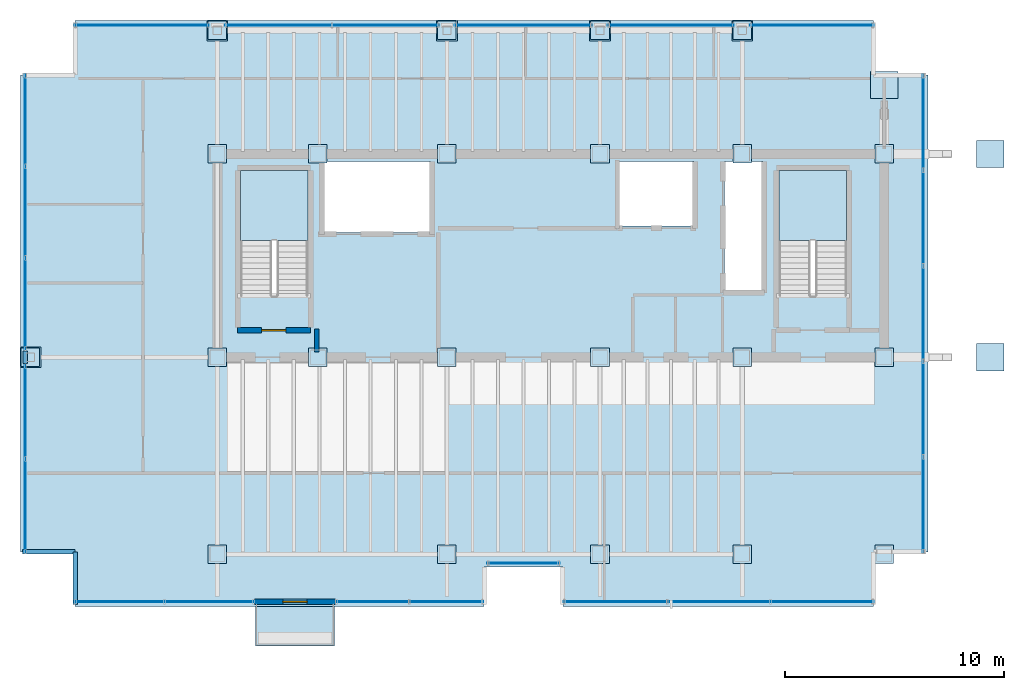
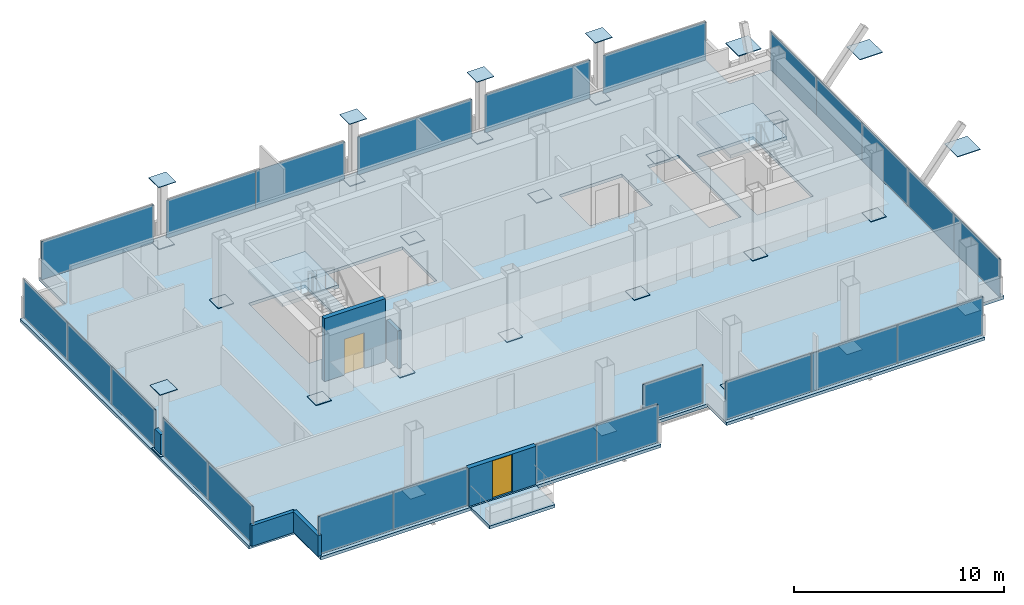
# One storey, part 13 of 16: 54 plates, 6 walls, 4 slabs, 2 doors, 7 openings, 14 elements without a shape of their own.
"""IFC4 building model written with IfcOpenShell, lengths in metres."""

import ifcopenshell
import ifcopenshell.guid

model = None  # the IFC model being written
_history = None  # IfcOwnerHistory: only IFC2X3 demands one
_inside = {}  # id of a spatial element -> (the spatial element, [elements in it])
_under = {}  # id of a project, library or spatial element -> (it, [spatial elements below it])
_declared = {}  # id of a project -> (the project, [libraries it declares])
_typed = {}  # id of a type object -> (the type object, [elements of that type])
_made_of = {}  # id of a material, layer set ... -> (it, [elements and type objects made of it])


def new_model(schema):
    """Start an empty IFC model of exactly this schema.

    Asked for "IFC4X3", IfcOpenShell would pick the latest addendum, in which some entities
    have other attributes; the version numbers below select the first issue.
    IFC2X3 requires an IfcOwnerHistory on every rooted entity: one is made here for all.
    """
    global model, _history
    if schema == "IFC4X3":
        model = ifcopenshell.file(schema_version=(4, 3, 0, 0))
    else:
        model = ifcopenshell.file(schema=schema)
    _inside.clear()
    _under.clear()
    _declared.clear()
    _typed.clear()
    _made_of.clear()
    _history = None
    if model.schema == "IFC2X3":
        org = make("IfcOrganization", Name="unknown")
        user = make(
            "IfcPersonAndOrganization",
            ThePerson=make("IfcPerson", FamilyName="unknown"),
            TheOrganization=org,
        )
        app = make(
            "IfcApplication",
            ApplicationDeveloper=org,
            Version="unknown",
            ApplicationFullName="unknown",
            ApplicationIdentifier="unknown",
        )
        _history = make(
            "IfcOwnerHistory",
            OwningUser=user,
            OwningApplication=app,
            ChangeAction="ADDED",
            CreationDate=0,
        )
    return model


def make(cls, **values):
    """One entity of the class cls with the attributes given. An attribute that is None is left unset."""
    return model.create_entity(
        cls, **{name: value for name, value in values.items() if value is not None}
    )


def rooted(cls, **values):
    """An entity with a GlobalId (a new one), such as an element, a storey or a relation."""
    return make(cls, GlobalId=ifcopenshell.guid.new(), OwnerHistory=_history, **values)


def si_unit(unit_type, name, prefix=None):
    """IfcSIUnit, for example si_unit("LENGTHUNIT", "METRE", prefix="MILLI")."""
    return make("IfcSIUnit", UnitType=unit_type, Prefix=prefix, Name=name)


def assignment(units):
    """IfcUnitAssignment: the units of a project."""
    return None if units is None else make("IfcUnitAssignment", Units=units)


def point(xyz):
    """IfcCartesianPoint."""
    return None if xyz is None else make("IfcCartesianPoint", Coordinates=xyz)


def direction(xyz):
    """IfcDirection."""
    return None if xyz is None else make("IfcDirection", DirectionRatios=xyz)


def frame(location, z_axis=None, x_axis=None):
    """IfcAxis2Placement3D, a coordinate frame: its origin and axes. An axis left out is left unset."""
    return make(
        "IfcAxis2Placement3D",
        Location=point(location),
        Axis=direction(z_axis),
        RefDirection=direction(x_axis),
    )


def frame_2d(location, x_axis=None):
    """IfcAxis2Placement2D, a coordinate frame in the plane: its origin and x axis."""
    return make(
        "IfcAxis2Placement2D", Location=point(location), RefDirection=direction(x_axis)
    )


def origin():
    """The frame at (0, 0, 0) with its axes left unset."""
    return frame((0.0, 0.0, 0.0))


def origin_2d():
    """The frame at (0, 0) in the plane with its x axis left unset."""
    return frame_2d((0.0, 0.0))


def place(relative_to, where):
    """IfcLocalPlacement: puts the frame where relative to a parent placement (None: the world)."""
    return make(
        "IfcLocalPlacement", PlacementRelTo=relative_to, RelativePlacement=where
    )


def context(
    kind, dimensions, precision=None, world=None, true_north=None, identifier=None
):
    """IfcGeometricRepresentationContext, for example the 3D "Model" context."""
    return make(
        "IfcGeometricRepresentationContext",
        ContextIdentifier=identifier,
        ContextType=kind,
        CoordinateSpaceDimension=dimensions,
        Precision=precision,
        WorldCoordinateSystem=world,
        TrueNorth=true_north,
    )


def subcontext(parent, identifier, kind, view, scale=None):
    """IfcGeometricRepresentationSubContext, for example "Body" below "Model"."""
    return make(
        "IfcGeometricRepresentationSubContext",
        ContextIdentifier=identifier,
        ContextType=kind,
        ParentContext=parent,
        TargetScale=scale,
        TargetView=view,
    )


def project(units=None, contexts=None):
    """IfcProject with its units and contexts."""
    return rooted(
        "IfcProject",
        Name="project",
        RepresentationContexts=contexts,
        UnitsInContext=assignment(units),
    )


def spatial(cls, under=None, at=None, **own):
    """A site, building, storey or space (cls), placed at a placement, below another one or the project."""
    s = rooted(cls, ObjectPlacement=at, **own)
    if under is not None:
        _under.setdefault(under.id(), (under, []))[1].append(s)
    return s


def polyline(points):
    """IfcPolyline through the points."""
    return make("IfcPolyline", Points=[point(p) for p in points])


def profile(cls, at=None, kind="AREA", **sizes):
    """A parametric profile (cls). Its sizes go by their IFC names, for example OverallWidth=200.0."""
    return make(cls, ProfileType=kind, Position=at, **sizes)


def rectangle(**sizes):
    """IfcRectangleProfileDef."""
    return profile("IfcRectangleProfileDef", **sizes)


def outline(outer, holes=None, kind="AREA"):
    """IfcArbitraryClosedProfileDef: a profile drawn as a closed curve; with holes, ...WithVoids."""
    if holes is None:
        return make("IfcArbitraryClosedProfileDef", ProfileType=kind, OuterCurve=outer)
    return make(
        "IfcArbitraryProfileDefWithVoids",
        ProfileType=kind,
        OuterCurve=outer,
        InnerCurves=holes,
    )


def extrude(swept, where, along, depth):
    """IfcExtrudedAreaSolid: the profile swept, set in the frame where, extruded along a direction by depth."""
    return make(
        "IfcExtrudedAreaSolid",
        SweptArea=swept,
        Position=where,
        ExtrudedDirection=direction(along),
        Depth=depth,
    )


def shape(context_of_items, identifier, shape_type, items):
    """IfcShapeRepresentation: the items that make up one representation, for example the "Body"."""
    return make(
        "IfcShapeRepresentation",
        ContextOfItems=context_of_items,
        RepresentationIdentifier=identifier,
        RepresentationType=shape_type,
        Items=items,
    )


def material(Name=None, Category=None):
    """IfcMaterial."""
    return make("IfcMaterial", Name=Name, Category=Category)


def layer(
    of_material, thickness, ventilated=None, Name=None, Category=None, Priority=None
):
    """IfcMaterialLayer: one layer of a wall or slab, of a material (None: an air gap)."""
    return make(
        "IfcMaterialLayer",
        Material=of_material,
        LayerThickness=thickness,
        IsVentilated=ventilated,
        Name=Name,
        Category=Category,
        Priority=Priority,
    )


def layer_set(layers, Name=None):
    """IfcMaterialLayerSet."""
    return make("IfcMaterialLayerSet", MaterialLayers=layers, LayerSetName=Name)


def made_of(thing, what):
    """Note that an element or type object is made of a material, layer set ...; save() writes the relation."""
    if what is not None:
        _made_of.setdefault(what.id(), (what, []))[1].append(thing)
    return thing


def type_object(cls, material=None, **own):
    """A type object (cls), such as IfcWallType, which elements share."""
    return made_of(rooted(cls, **own), material)


def element(
    cls,
    number,
    at=None,
    inside=None,
    cuts=None,
    type_object=None,
    material=None,
    context=None,
    identifier="Body",
    shape_type=None,
    held_by="IfcProductDefinitionShape",
    body=None,
    shapes=None,
    **own,
):
    """One element of the class cls, such as IfcWall. Its Tag is "e" and its number.

    at: its placement. inside: the storey or other place that contains it. cuts: it is an
    opening in that element (IfcRelVoidsElement). A single representation is given by context,
    identifier, shape_type and body (its items); several are given by shapes. held_by: the class
    of the entity that holds the representations. save() writes the other relations.
    """
    e = rooted(cls, Tag="e%d" % number, ObjectPlacement=at, **own)
    if body is not None:
        shapes = [shape(context, identifier, shape_type, body)]
    if shapes is not None:
        e.Representation = make(held_by, Representations=shapes)
    if inside is not None:
        _inside.setdefault(inside.id(), (inside, []))[1].append(e)
    if cuts is not None:
        rooted(
            "IfcRelVoidsElement", RelatingBuildingElement=cuts, RelatedOpeningElement=e
        )
    if type_object is not None:
        _typed.setdefault(type_object.id(), (type_object, []))[1].append(e)
    return made_of(e, material)


def fill(opening, filler):
    """IfcRelFillsElement: the door or window that sits in an opening."""
    return rooted(
        "IfcRelFillsElement",
        RelatingOpeningElement=opening,
        RelatedBuildingElement=filler,
    )


def aggregate(whole, parts):
    """IfcRelAggregates: a whole, such as a stair, and the parts it consists of."""
    return rooted("IfcRelAggregates", RelatingObject=whole, RelatedObjects=parts)


def save(model, path):
    """Write the relations noted so far, then the file.

    IfcRelAggregates (storeys below a building ...), IfcRelContainedInSpatialStructure (elements
    in a storey), IfcRelDefinesByType, IfcRelAssociatesMaterial and IfcRelDeclares: one each for
    every whole, place, type object, material and project.
    """
    for whole, parts in _under.values():
        aggregate(whole, parts)
    for where, things in _inside.values():
        rooted(
            "IfcRelContainedInSpatialStructure",
            RelatedElements=things,
            RelatingStructure=where,
        )
    for kind, things in _typed.values():
        rooted("IfcRelDefinesByType", RelatedObjects=things, RelatingType=kind)
    for what, things in _made_of.values():
        rooted("IfcRelAssociatesMaterial", RelatedObjects=things, RelatingMaterial=what)
    for by, libraries in _declared.values():
        rooted("IfcRelDeclares", RelatingContext=by, RelatedDefinitions=libraries)
    model.write(path)


model = new_model("IFC4")

# Units and contexts
model_context = context("Model", 3, precision=1e-05, world=origin(), true_north=direction((0.0, 1.0)))
body_context = subcontext(model_context, "Body", "Model", "MODEL_VIEW")
ifc_project = project(units=[si_unit("LENGTHUNIT", "METRE"), si_unit("AREAUNIT", "SQUARE_METRE"), si_unit("VOLUMEUNIT", "CUBIC_METRE"), si_unit("PLANEANGLEUNIT", "RADIAN"), si_unit("MASSUNIT", "GRAM", prefix="KILO")], contexts=[model_context])

# Site, building, storey
site_placement = place(None, origin())
site = spatial("IfcSite", under=ifc_project, at=site_placement, CompositionType="ELEMENT")
building_placement = place(site_placement, origin())
building = spatial("IfcBuilding", under=site, at=building_placement, Name="Noeulbin Bourse Tower", CompositionType="ELEMENT")
storey_placement = place(building_placement, frame((0.0, 0.0, 277.39990234375)))
storey = spatial("IfcBuildingStorey", under=building, at=storey_placement, Name="L69", CompositionType="ELEMENT", Elevation=277.39990234375)

# Curtain wall, plate
ifc_material_1 = material(Name="High-Selectivity Low-Iron Glazing", Category="glass")
curtain_wall_type = type_object("IfcCurtainWallType", Name="CW-SYS-4", PredefinedType="NOTDEFINED", material=ifc_material_1)
curtain_wall_1_placement = place(storey_placement, origin())
curtain_wall_1 = element("IfcCurtainWall", 1, at=curtain_wall_1_placement, inside=storey, type_object=curtain_wall_type, Name="Unitised Curtain Wall CW-L69-SREC", PredefinedType="NOTDEFINED")
ifc_layer_1 = layer(ifc_material_1, 0.035888671875)
ifc_layer_set_1 = layer_set([ifc_layer_1], Name="High-Selectivity Low-Iron Glazing")
plate_type_1 = type_object("IfcPlateType", Name="CW-SYS-4-PNL", PredefinedType="CURTAIN_PANEL", material=ifc_layer_set_1)
plate_1_placement = place(storey_placement, frame((27.5, 19.580078125, 0.0), z_axis=(0.0, 0.0, 1.0), x_axis=(1.0, 0.0, 0.0)))
plate_1 = element("IfcPlate", 2, at=plate_1_placement, type_object=plate_type_1, Name="Glazed Curtain Panel CW-L69-SREC-P00", PredefinedType="CURTAIN_PANEL", context=body_context, shape_type="SweptSolid", body=[
    extrude(rectangle(XDim=3.300048828125, YDim=0.035888671875, at=origin_2d()), origin(), (0.0, 0.0, 1.0), 2.219970703125),
])
aggregate(curtain_wall_1, [plate_1])

# Curtain wall, plates
curtain_wall_2_placement = place(storey_placement, origin())
curtain_wall_2 = element("IfcCurtainWall", 3, at=curtain_wall_2_placement, inside=storey, type_object=curtain_wall_type, Name="Unitised Curtain Wall CW-L69-S1", PredefinedType="NOTDEFINED")
plate_2_placement = place(storey_placement, frame((9.034912109375, 17.820068359375, 0.0), z_axis=(0.0, 0.0, 1.0), x_axis=(1.0, 0.0, 0.0)))
plate_2 = element("IfcPlate", 4, at=plate_2_placement, type_object=plate_type_1, Name="Glazed Curtain Panel CW-L69-S1-P00", PredefinedType="CURTAIN_PANEL", context=body_context, shape_type="SweptSolid", body=[
    extrude(rectangle(XDim=4.110107421875, YDim=0.035888671875, at=origin_2d()), origin(), (0.0, 0.0, 1.0), 2.219970703125),
])
plate_3_placement = place(storey_placement, frame((13.14501953125, 17.820068359375, 0.0), z_axis=(0.0, 0.0, 1.0), x_axis=(1.0, 0.0, 0.0)))
plate_3 = element("IfcPlate", 5, at=plate_3_placement, type_object=plate_type_1, Name="Glazed Curtain Panel CW-L69-S1-P01", PredefinedType="CURTAIN_PANEL", context=body_context, shape_type="SweptSolid", body=[
    extrude(rectangle(XDim=4.110107421875, YDim=0.035888671875, at=origin_2d()), origin(), (0.0, 0.0, 1.0), 2.219970703125),
])
aggregate(curtain_wall_2, [plate_2, plate_3])

curtain_wall_3_placement = place(storey_placement, origin())
curtain_wall_3 = element("IfcCurtainWall", 6, at=curtain_wall_3_placement, inside=storey, type_object=curtain_wall_type, Name="Unitised Curtain Wall CW-L69-S2", PredefinedType="NOTDEFINED")
plate_4_placement = place(storey_placement, frame((20.58740234375, 17.820068359375, 0.0), z_axis=(0.0, 0.0, 1.0), x_axis=(1.0, 0.0, 0.0)))
plate_4 = element("IfcPlate", 7, at=plate_4_placement, type_object=plate_type_1, Name="Glazed Curtain Panel CW-L69-S2-P00", PredefinedType="CURTAIN_PANEL", context=body_context, shape_type="SweptSolid", body=[
    extrude(rectangle(XDim=3.375, YDim=0.035888671875, at=origin_2d()), origin(), (0.0, 0.0, 1.0), 2.219970703125),
])
plate_5_placement = place(storey_placement, frame((23.96240234375, 17.820068359375, 0.0), z_axis=(0.0, 0.0, 1.0), x_axis=(1.0, 0.0, 0.0)))
plate_5 = element("IfcPlate", 8, at=plate_5_placement, type_object=plate_type_1, Name="Glazed Curtain Panel CW-L69-S2-P01", PredefinedType="CURTAIN_PANEL", context=body_context, shape_type="SweptSolid", body=[
    extrude(rectangle(XDim=3.375, YDim=0.035888671875, at=origin_2d()), origin(), (0.0, 0.0, 1.0), 2.219970703125),
])
aggregate(curtain_wall_3, [plate_4, plate_5])

curtain_wall_4_placement = place(storey_placement, origin())
curtain_wall_4 = element("IfcCurtainWall", 9, at=curtain_wall_4_placement, inside=storey, type_object=curtain_wall_type, Name="Unitised Curtain Wall CW-L69-S3", PredefinedType="NOTDEFINED")
plate_6_placement = place(storey_placement, frame((31.711669921875, 17.820068359375, 0.0), z_axis=(0.0, 0.0, 1.0), x_axis=(1.0, 0.0, 0.0)))
plate_6 = element("IfcPlate", 10, at=plate_6_placement, type_object=plate_type_1, Name="Glazed Curtain Panel CW-L69-S3-P00", PredefinedType="CURTAIN_PANEL", context=body_context, shape_type="SweptSolid", body=[
    extrude(rectangle(XDim=4.723388671875, YDim=0.035888671875, at=origin_2d()), origin(), (0.0, 0.0, 1.0), 2.219970703125),
])
plate_7_placement = place(storey_placement, frame((36.43505859375, 17.820068359375, 0.0), z_axis=(0.0, 0.0, 1.0), x_axis=(1.0, 0.0, 0.0)))
plate_7 = element("IfcPlate", 11, at=plate_7_placement, type_object=plate_type_1, Name="Glazed Curtain Panel CW-L69-S3-P01", PredefinedType="CURTAIN_PANEL", context=body_context, shape_type="SweptSolid", body=[
    extrude(rectangle(XDim=4.723388671875, YDim=0.035888671875, at=origin_2d()), origin(), (0.0, 0.0, 1.0), 2.219970703125),
])
plate_8_placement = place(storey_placement, frame((41.158203125, 17.820068359375, 0.0), z_axis=(0.0, 0.0, 1.0), x_axis=(1.0, 0.0, 0.0)))
plate_8 = element("IfcPlate", 12, at=plate_8_placement, type_object=plate_type_1, Name="Glazed Curtain Panel CW-L69-S3-P02", PredefinedType="CURTAIN_PANEL", context=body_context, shape_type="SweptSolid", body=[
    extrude(rectangle(XDim=4.723388671875, YDim=0.035888671875, at=origin_2d()), origin(), (0.0, 0.0, 1.0), 2.219970703125),
])
aggregate(curtain_wall_4, [plate_6, plate_7, plate_8])

# Curtain wall, plate
curtain_wall_5_placement = place(storey_placement, origin())
curtain_wall_5 = element("IfcCurtainWall", 13, at=curtain_wall_5_placement, inside=storey, type_object=curtain_wall_type, Name="Unitised Curtain Wall CW-L69-N-S1", PredefinedType="NOTDEFINED")
plate_9_placement = place(storey_placement, frame((10.06005859375, 44.179931640625, 0.0), z_axis=(0.0, 0.0, 1.0), x_axis=(1.0, 0.0, 0.0)))
plate_9 = element("IfcPlate", 14, at=plate_9_placement, type_object=plate_type_1, Name="Glazed Curtain Panel CW-L69-N-S1-P00", PredefinedType="CURTAIN_PANEL", context=body_context, shape_type="SweptSolid", body=[
    extrude(rectangle(XDim=6.159912109375, YDim=0.035888671875, at=origin_2d()), origin(), (0.0, 0.0, 1.0), 2.219970703125),
])
aggregate(curtain_wall_5, [plate_9])

# Curtain wall, plates
curtain_wall_6_placement = place(storey_placement, origin())
curtain_wall_6 = element("IfcCurtainWall", 15, at=curtain_wall_6_placement, inside=storey, type_object=curtain_wall_type, Name="Unitised Curtain Wall CW-L69-N-S2", PredefinedType="NOTDEFINED")
plate_10_placement = place(storey_placement, frame((16.304931640625, 44.179931640625, 0.0), z_axis=(0.0, 0.0, 1.0), x_axis=(1.0, 0.0, 0.0)))
plate_10 = element("IfcPlate", 16, at=plate_10_placement, type_object=plate_type_1, Name="Glazed Curtain Panel CW-L69-N-S2-P00", PredefinedType="CURTAIN_PANEL", context=body_context, shape_type="SweptSolid", body=[
    extrude(rectangle(XDim=4.889892578125, YDim=0.035888671875, at=origin_2d()), origin(), (0.0, 0.0, 1.0), 2.219970703125),
])
plate_11_placement = place(storey_placement, frame((21.195068359375, 44.179931640625, 0.0), z_axis=(0.0, 0.0, 1.0), x_axis=(1.0, 0.0, 0.0)))
plate_11 = element("IfcPlate", 17, at=plate_11_placement, type_object=plate_type_1, Name="Glazed Curtain Panel CW-L69-N-S2-P01", PredefinedType="CURTAIN_PANEL", context=body_context, shape_type="SweptSolid", body=[
    extrude(rectangle(XDim=4.889892578125, YDim=0.035888671875, at=origin_2d()), origin(), (0.0, 0.0, 1.0), 2.219970703125),
])
aggregate(curtain_wall_6, [plate_10, plate_11])

# Curtain wall, plate
curtain_wall_7_placement = place(storey_placement, origin())
curtain_wall_7 = element("IfcCurtainWall", 18, at=curtain_wall_7_placement, inside=storey, type_object=curtain_wall_type, Name="Unitised Curtain Wall CW-L69-N-S3", PredefinedType="NOTDEFINED")
plate_12_placement = place(storey_placement, frame((27.5, 44.179931640625, 0.0), z_axis=(0.0, 0.0, 1.0), x_axis=(1.0, 0.0, 0.0)))
plate_12 = element("IfcPlate", 19, at=plate_12_placement, type_object=plate_type_1, Name="Glazed Curtain Panel CW-L69-N-S3-P00", PredefinedType="CURTAIN_PANEL", context=body_context, shape_type="SweptSolid", body=[
    extrude(rectangle(XDim=6.280029296875, YDim=0.035888671875, at=origin_2d()), origin(), (0.0, 0.0, 1.0), 2.219970703125),
])
aggregate(curtain_wall_7, [plate_12])

curtain_wall_8_placement = place(storey_placement, origin())
curtain_wall_8 = element("IfcCurtainWall", 20, at=curtain_wall_8_placement, inside=storey, type_object=curtain_wall_type, Name="Unitised Curtain Wall CW-L69-N-S4", PredefinedType="NOTDEFINED")
plate_13_placement = place(storey_placement, frame((34.25, 44.179931640625, 0.0), z_axis=(0.0, 0.0, 1.0), x_axis=(1.0, 0.0, 0.0)))
plate_13 = element("IfcPlate", 21, at=plate_13_placement, type_object=plate_type_1, Name="Glazed Curtain Panel CW-L69-N-S4-P00", PredefinedType="CURTAIN_PANEL", context=body_context, shape_type="SweptSolid", body=[
    extrude(rectangle(XDim=5.780029296875, YDim=0.035888671875, at=origin_2d()), origin(), (0.0, 0.0, 1.0), 2.219970703125),
])
aggregate(curtain_wall_8, [plate_13])

curtain_wall_9_placement = place(storey_placement, origin())
curtain_wall_9 = element("IfcCurtainWall", 22, at=curtain_wall_9_placement, inside=storey, type_object=curtain_wall_type, Name="Unitised Curtain Wall CW-L69-N-S5", PredefinedType="NOTDEFINED")
plate_14_placement = place(storey_placement, frame((40.68994140625, 44.179931640625, 0.0), z_axis=(0.0, 0.0, 1.0), x_axis=(1.0, 0.0, 0.0)))
plate_14 = element("IfcPlate", 23, at=plate_14_placement, type_object=plate_type_1, Name="Glazed Curtain Panel CW-L69-N-S5-P00", PredefinedType="CURTAIN_PANEL", context=body_context, shape_type="SweptSolid", body=[
    extrude(rectangle(XDim=5.659912109375, YDim=0.035888671875, at=origin_2d()), origin(), (0.0, 0.0, 1.0), 2.219970703125),
])
aggregate(curtain_wall_9, [plate_14])

# Curtain wall, plates
curtain_wall_10_placement = place(storey_placement, origin())
curtain_wall_10 = element("IfcCurtainWall", 24, at=curtain_wall_10_placement, inside=storey, type_object=curtain_wall_type, Name="Unitised Curtain Wall CW-L69-W-S1", PredefinedType="NOTDEFINED")
plate_15_placement = place(storey_placement, frame((4.719970703125, 22.219970703125, 0.0), z_axis=(0.0, 0.0, 1.0), x_axis=(0.0, 1.0, 0.0)))
plate_15 = element("IfcPlate", 25, at=plate_15_placement, type_object=plate_type_1, Name="Glazed Curtain Panel CW-L69-W-S1-P00", PredefinedType="CURTAIN_PANEL", context=body_context, shape_type="SweptSolid", body=[
    extrude(rectangle(XDim=4.280029296875, YDim=0.035888671875, at=origin_2d()), origin(), (0.0, 0.0, 1.0), 2.219970703125),
])
plate_16_placement = place(storey_placement, frame((4.719970703125, 26.5, 0.0), z_axis=(0.0, 0.0, 1.0), x_axis=(0.0, 1.0, 0.0)))
plate_16 = element("IfcPlate", 26, at=plate_16_placement, type_object=plate_type_1, Name="Glazed Curtain Panel CW-L69-W-S1-P01", PredefinedType="CURTAIN_PANEL", context=body_context, shape_type="SweptSolid", body=[
    extrude(rectangle(XDim=4.280029296875, YDim=0.035888671875, at=origin_2d()), origin(), (0.0, 0.0, 1.0), 2.219970703125),
])
aggregate(curtain_wall_10, [plate_15, plate_16])

curtain_wall_11_placement = place(storey_placement, origin())
curtain_wall_11 = element("IfcCurtainWall", 27, at=curtain_wall_11_placement, inside=storey, type_object=curtain_wall_type, Name="Unitised Curtain Wall CW-L69-W-S2", PredefinedType="NOTDEFINED")
plate_17_placement = place(storey_placement, frame((4.719970703125, 31.453369140625, 0.0), z_axis=(0.0, 0.0, 1.0), x_axis=(0.0, 1.0, 0.0)))
plate_17 = element("IfcPlate", 28, at=plate_17_placement, type_object=plate_type_1, Name="Glazed Curtain Panel CW-L69-W-S2-P00", PredefinedType="CURTAIN_PANEL", context=body_context, shape_type="SweptSolid", body=[
    extrude(rectangle(XDim=4.186767578125, YDim=0.035888671875, at=origin_2d()), origin(), (0.0, 0.0, 1.0), 2.219970703125),
])
plate_18_placement = place(storey_placement, frame((4.719970703125, 35.639892578125, 0.0), z_axis=(0.0, 0.0, 1.0), x_axis=(0.0, 1.0, 0.0)))
plate_18 = element("IfcPlate", 29, at=plate_18_placement, type_object=plate_type_1, Name="Glazed Curtain Panel CW-L69-W-S2-P01", PredefinedType="CURTAIN_PANEL", context=body_context, shape_type="SweptSolid", body=[
    extrude(rectangle(XDim=4.186767578125, YDim=0.035888671875, at=origin_2d()), origin(), (0.0, 0.0, 1.0), 2.219970703125),
])
plate_19_placement = place(storey_placement, frame((4.719970703125, 39.82666015625, 0.0), z_axis=(0.0, 0.0, 1.0), x_axis=(0.0, 1.0, 0.0)))
plate_19 = element("IfcPlate", 30, at=plate_19_placement, type_object=plate_type_1, Name="Glazed Curtain Panel CW-L69-W-S2-P02", PredefinedType="CURTAIN_PANEL", context=body_context, shape_type="SweptSolid", body=[
    extrude(rectangle(XDim=4.186767578125, YDim=0.035888671875, at=origin_2d()), origin(), (0.0, 0.0, 1.0), 2.219970703125),
])
aggregate(curtain_wall_11, [plate_17, plate_18, plate_19])

curtain_wall_12_placement = place(storey_placement, origin())
curtain_wall_12 = element("IfcCurtainWall", 31, at=curtain_wall_12_placement, inside=storey, type_object=curtain_wall_type, Name="Unitised Curtain Wall CW-L69-E", PredefinedType="NOTDEFINED")
plate_20_placement = place(storey_placement, frame((45.780029296875, 22.263916015625, 0.0), z_axis=(0.0, 0.0, 1.0), x_axis=(0.0, 1.0, 0.0)))
plate_20 = element("IfcPlate", 32, at=plate_20_placement, type_object=plate_type_1, Name="Glazed Curtain Panel CW-L69-E-P00", PredefinedType="CURTAIN_PANEL", context=body_context, shape_type="SweptSolid", body=[
    extrude(rectangle(XDim=4.367919921875, YDim=0.035888671875, at=origin_2d()), origin(), (0.0, 0.0, 1.0), 2.219970703125),
])
plate_21_placement = place(storey_placement, frame((45.780029296875, 26.632080078125, 0.0), z_axis=(0.0, 0.0, 1.0), x_axis=(0.0, 1.0, 0.0)))
plate_21 = element("IfcPlate", 33, at=plate_21_placement, type_object=plate_type_1, Name="Glazed Curtain Panel CW-L69-E-P01", PredefinedType="CURTAIN_PANEL", context=body_context, shape_type="SweptSolid", body=[
    extrude(rectangle(XDim=4.367919921875, YDim=0.035888671875, at=origin_2d()), origin(), (0.0, 0.0, 1.0), 2.219970703125),
])
plate_22_placement = place(storey_placement, frame((45.780029296875, 31.0, 0.0), z_axis=(0.0, 0.0, 1.0), x_axis=(0.0, 1.0, 0.0)))
plate_22 = element("IfcPlate", 34, at=plate_22_placement, type_object=plate_type_1, Name="Glazed Curtain Panel CW-L69-E-P02", PredefinedType="CURTAIN_PANEL", context=body_context, shape_type="SweptSolid", body=[
    extrude(rectangle(XDim=4.367919921875, YDim=0.035888671875, at=origin_2d()), origin(), (0.0, 0.0, 1.0), 2.219970703125),
])
plate_23_placement = place(storey_placement, frame((45.780029296875, 35.367919921875, 0.0), z_axis=(0.0, 0.0, 1.0), x_axis=(0.0, 1.0, 0.0)))
plate_23 = element("IfcPlate", 35, at=plate_23_placement, type_object=plate_type_1, Name="Glazed Curtain Panel CW-L69-E-P03", PredefinedType="CURTAIN_PANEL", context=body_context, shape_type="SweptSolid", body=[
    extrude(rectangle(XDim=4.367919921875, YDim=0.035888671875, at=origin_2d()), origin(), (0.0, 0.0, 1.0), 2.219970703125),
])
plate_24_placement = place(storey_placement, frame((45.780029296875, 39.736083984375, 0.0), z_axis=(0.0, 0.0, 1.0), x_axis=(0.0, 1.0, 0.0)))
plate_24 = element("IfcPlate", 36, at=plate_24_placement, type_object=plate_type_1, Name="Glazed Curtain Panel CW-L69-E-P04", PredefinedType="CURTAIN_PANEL", context=body_context, shape_type="SweptSolid", body=[
    extrude(rectangle(XDim=4.367919921875, YDim=0.035888671875, at=origin_2d()), origin(), (0.0, 0.0, 1.0), 2.219970703125),
])
aggregate(curtain_wall_12, [plate_20, plate_21, plate_22, plate_23, plate_24])

# Plates
ifc_material_2 = material(Name="Steel S355", Category="steel")
ifc_layer_2 = layer(ifc_material_2, 0.030029296875)
ifc_layer_set_2 = layer_set([ifc_layer_2], Name="Steel S355")
plate_type_2 = type_object("IfcPlateType", Name="PLT-BN1", PredefinedType="USERDEFINED", material=ifc_layer_set_2)
for number, where, z_axis, x_axis, name in (
    (37, (13.5, 29.0, 0.0048828125), (0.0, 0.0, 1.0), (1.0, 0.0, 0.0), "Mega-Column Splice Plate BN1-L69-01"),
    (38, (13.5, 38.300048828125, 0.0048828125), (0.0, 0.0, 1.0), (1.0, 0.0, 0.0), "Mega-Column Splice Plate BN1-L69-02"),
    (39, (18.10009765625, 29.0, 0.0048828125), (0.0, 0.0, 1.0), (1.0, 0.0, 0.0), "Mega-Column Splice Plate BN1-L69-03"),
    (40, (18.10009765625, 38.300048828125, 0.0048828125), (0.0, 0.0, 1.0), (1.0, 0.0, 0.0), "Mega-Column Splice Plate BN1-L69-04"),
    (41, (24.0, 29.0, 0.0048828125), (0.0, 0.0, 1.0), (1.0, 0.0, 0.0), "Mega-Column Splice Plate BN1-L69-05"),
    (42, (24.0, 38.300048828125, 0.0048828125), (0.0, 0.0, 1.0), (1.0, 0.0, 0.0), "Mega-Column Splice Plate BN1-L69-06"),
    (43, (31.0, 29.0, 0.0048828125), (0.0, 0.0, 1.0), (1.0, 0.0, 0.0), "Mega-Column Splice Plate BN1-L69-07"),
    (44, (31.0, 38.300048828125, 0.0048828125), (0.0, 0.0, 1.0), (1.0, 0.0, 0.0), "Mega-Column Splice Plate BN1-L69-08"),
    (45, (37.5, 29.0, 0.0048828125), (0.0, 0.0, 1.0), (1.0, 0.0, 0.0), "Mega-Column Splice Plate BN1-L69-09"),
    (46, (37.5, 38.300048828125, 0.0048828125), (0.0, 0.0, 1.0), (1.0, 0.0, 0.0), "Mega-Column Splice Plate BN1-L69-10"),
    (47, (44.0, 29.0, 0.0048828125), (0.0, 0.0, 1.0), (1.0, 0.0, 0.0), "Mega-Column Splice Plate BN1-L69-11"),
    (48, (44.0, 38.300048828125, 0.0048828125), (0.0, 0.0, 1.0), (1.0, 0.0, 0.0), "Mega-Column Splice Plate BN1-L69-12"),
    (49, (13.5, 20.0, 0.0048828125), (0.0, 0.0, 1.0), (1.0, 0.0, 0.0), "Mega-Column Splice Plate BN1-L69-13"),
    (50, (24.0, 20.0, 0.0048828125), (0.0, 0.0, 1.0), (1.0, 0.0, 0.0), "Mega-Column Splice Plate BN1-L69-14"),
    (51, (31.0, 20.0, 0.0048828125), (0.0, 0.0, 1.0), (1.0, 0.0, 0.0), "Mega-Column Splice Plate BN1-L69-15"),
    (52, (37.5, 20.0, 0.0048828125), (0.0, 0.0, 1.0), (1.0, 0.0, 0.0), "Mega-Column Splice Plate BN1-L69-16"),
    (53, (44.0, 20.0, 0.0048828125), (0.0, 0.0, 1.0), (1.0, 0.0, 0.0), "Mega-Column Splice Plate BN1-L69-17"),
    (54, (4.949951171875, 29.0, 0.0048828125), (0.0, 0.0, 1.0), (1.0, 0.0, 0.0), "Perimeter Column Splice Plate BN1-L69-01"),
    (55, (13.5, 43.949951171875, 0.0048828125), (0.0, 0.0, 1.0), (1.0, 0.0, 0.0), "Perimeter Column Splice Plate BN1-L69-02"),
    (56, (24.0, 43.949951171875, 0.0048828125), (0.0, 0.0, 1.0), (1.0, 0.0, 0.0), "Perimeter Column Splice Plate BN1-L69-03"),
    (57, (31.0, 43.949951171875, 0.0048828125), (0.0, 0.0, 1.0), (1.0, 0.0, 0.0), "Perimeter Column Splice Plate BN1-L69-04"),
    (58, (37.5, 43.949951171875, 0.0048828125), (0.0, 0.0, 1.0), (1.0, 0.0, 0.0), "Perimeter Column Splice Plate BN1-L69-05"),
):
    element("IfcPlate", number, at=place(storey_placement, frame(where, z_axis=z_axis, x_axis=x_axis)), inside=storey, type_object=plate_type_2, Name=name, ObjectType="SPLICE PLATE", PredefinedType="USERDEFINED", context=body_context, shape_type="SweptSolid", body=[
        extrude(rectangle(XDim=0.85009765625, YDim=0.85009765625, at=origin_2d()), origin(), (0.0, 0.0, 1.0), 0.030029296875),
    ])
ifc_material_3 = material(Name="Steel S460", Category="steel")
ifc_layer_3 = layer(ifc_material_3, 0.0400390625)
ifc_layer_set_3 = layer_set([ifc_layer_3], Name="Steel S460")
plate_type_3 = type_object("IfcPlateType", Name="PLT-KN1", PredefinedType="USERDEFINED", material=ifc_layer_set_3)
for number, where, z_axis, x_axis, name in (
    (59, (48.85009765625, 29.0, 2.260009765625), (0.0, 0.0, 1.0), (1.0, 0.0, 0.0), "Exoskeleton Kink Gusset KN1-01"),
    (60, (48.85009765625, 38.300048828125, 2.260009765625), (0.0, 0.0, 1.0), (1.0, 0.0, 0.0), "Exoskeleton Kink Gusset KN1-02"),
    (61, (44.0, 41.449951171875, 2.260009765625), (0.0, 0.0, 1.0), (1.0, 0.0, 0.0), "Exoskeleton Kink Gusset KN1-03"),
):
    element("IfcPlate", number, at=place(storey_placement, frame(where, z_axis=z_axis, x_axis=x_axis)), inside=storey, type_object=plate_type_3, Name=name, ObjectType="GUSSET PLATE", PredefinedType="USERDEFINED", context=body_context, shape_type="SweptSolid", body=[
        extrude(rectangle(XDim=1.25, YDim=1.25, at=origin_2d()), origin(), (0.0, 0.0, 1.0), 0.0400390625),
    ])
ifc_layer_4 = layer(ifc_material_2, 0.031982421875)
ifc_layer_set_4 = layer_set([ifc_layer_4], Name="Steel S355")
plate_type_4 = type_object("IfcPlateType", Name="PLT-KN3", PredefinedType="USERDEFINED", material=ifc_layer_set_4)
for number, where, z_axis, x_axis, name in (
    (62, (4.949951171875, 29.0, 3.64404296875), (0.0, 0.0, 1.0), (1.0, 0.0, 0.0), "Perimeter Column End Cap Plate KN3-01"),
    (63, (13.5, 43.949951171875, 3.64404296875), (0.0, 0.0, 1.0), (1.0, 0.0, 0.0), "Perimeter Column End Cap Plate KN3-02"),
    (64, (24.0, 43.949951171875, 3.64404296875), (0.0, 0.0, 1.0), (1.0, 0.0, 0.0), "Perimeter Column End Cap Plate KN3-03"),
    (65, (31.0, 43.949951171875, 3.64404296875), (0.0, 0.0, 1.0), (1.0, 0.0, 0.0), "Perimeter Column End Cap Plate KN3-04"),
    (66, (37.5, 43.949951171875, 3.64404296875), (0.0, 0.0, 1.0), (1.0, 0.0, 0.0), "Perimeter Column End Cap Plate KN3-05"),
):
    element("IfcPlate", number, at=place(storey_placement, frame(where, z_axis=z_axis, x_axis=x_axis)), inside=storey, type_object=plate_type_4, Name=name, ObjectType="END PLATE", PredefinedType="USERDEFINED", context=body_context, shape_type="SweptSolid", body=[
        extrude(rectangle(XDim=0.949951171875, YDim=0.949951171875, at=origin_2d()), origin(), (0.0, 0.0, 1.0), 0.031982421875),
    ])

# Stair, slab
ifc_material_4 = material(Name="Concrete C40/50", Category="concrete")
stair_type = type_object("IfcStairType", Name="STR-CORE-1560", PredefinedType="HALF_TURN_STAIR", material=ifc_material_4)
stair_1_placement = place(storey_placement, origin())
stair_1 = element("IfcStair", 67, at=stair_1_placement, inside=storey, type_object=stair_type, Name="L69 ST-1", PredefinedType="HALF_TURN_STAIR")
ifc_layer_5 = layer(ifc_material_4, 0.199951171875)
ifc_layer_set_5 = layer_set([ifc_layer_5], Name="Concrete C40/50")
slab_type_1 = type_object("IfcSlabType", Name="SLB-LND-200", PredefinedType="LANDING", material=ifc_layer_set_5)
slab_1_placement = place(storey_placement, frame((0.0, 0.0, 1.75)))
slab_1 = element("IfcSlab", 68, at=slab_1_placement, type_object=slab_type_1, Name="ST-1 landing 1", PredefinedType="LANDING", context=body_context, shape_type="SweptSolid", body=[
    extrude(outline(polyline([(17.64990234375, 34.330078125), (17.64990234375, 37.5439453125), (14.550048828125, 37.5439453125), (14.550048828125, 34.330078125), (17.64990234375, 34.330078125)])), origin(), (0.0, 0.0, 1.0), 0.2001953125),
])
aggregate(stair_1, [slab_1])

stair_2_placement = place(storey_placement, origin())
stair_2 = element("IfcStair", 69, at=stair_2_placement, inside=storey, type_object=stair_type, Name="L69 ST-2", PredefinedType="HALF_TURN_STAIR")
slab_2_placement = place(storey_placement, frame((0.0, 0.0, 1.75)))
slab_2 = element("IfcSlab", 70, at=slab_2_placement, type_object=slab_type_1, Name="ST-2 landing 1", PredefinedType="LANDING", context=body_context, shape_type="SweptSolid", body=[
    extrude(outline(polyline([(42.280029296875, 34.330078125), (42.280029296875, 37.5439453125), (39.179931640625, 37.5439453125), (39.179931640625, 34.330078125), (42.280029296875, 34.330078125)])), origin(), (0.0, 0.0, 1.0), 0.2001953125),
])
aggregate(stair_2, [slab_2])

# Slab, openings
ifc_layer_6 = layer(ifc_material_4, 0.179931640625)
ifc_layer_set_6 = layer_set([ifc_layer_6], Name="Concrete C40/50")
slab_type_2 = type_object("IfcSlabType", Name="SLB-TYP-180", PredefinedType="FLOOR", material=ifc_layer_set_6)
slab_3_placement = place(storey_placement, frame((0.0, 0.0, -0.179931640625)))
slab_3 = element("IfcSlab", 71, at=slab_3_placement, inside=storey, type_object=slab_type_2, Name="Tower Structural Floor Slab L69", PredefinedType="FLOOR", context=body_context, shape_type="SweptSolid", body=[
    extrude(outline(polyline([(7.0, 17.60009765625), (25.699951171875, 17.60009765625), (25.699951171875, 19.39990234375), (29.300048828125, 19.39990234375), (29.300048828125, 17.60009765625), (43.5, 17.60009765625), (43.5, 20.10009765625), (46.0, 20.10009765625), (46.0, 41.89990234375), (43.5, 41.89990234375), (43.5, 44.39990234375), (7.0, 44.39990234375), (7.0, 41.89990234375), (4.5, 41.89990234375), (4.5, 20.10009765625), (7.0, 20.10009765625), (7.0, 17.60009765625)]), holes=[polyline([(17.64990234375, 31.81005859375), (17.64990234375, 37.5439453125), (14.550048828125, 37.5439453125), (14.550048828125, 31.81005859375), (17.64990234375, 31.81005859375)]), polyline([(42.280029296875, 31.81005859375), (42.280029296875, 37.5439453125), (39.179931640625, 37.5439453125), (39.179931640625, 31.81005859375), (42.280029296875, 31.81005859375)]), polyline([(18.35009765625, 34.699951171875), (23.25, 34.699951171875), (23.25, 37.949951171875), (18.35009765625, 37.949951171875), (18.35009765625, 34.699951171875)]), polyline([(36.699951171875, 32.050048828125), (38.449951171875, 32.050048828125), (38.449951171875, 37.949951171875), (36.699951171875, 37.949951171875), (36.699951171875, 32.050048828125)]), polyline([(31.85009765625, 35.0), (35.300048828125, 35.0), (35.300048828125, 37.949951171875), (31.85009765625, 37.949951171875), (31.85009765625, 35.0)])]), origin(), (0.0, 0.0, 1.0), 0.179931640625),
])
opening_1_placement = place(slab_3_placement, frame((0.0, 0.0, -0.010009765625)))
element("IfcOpeningElement", 72, at=opening_1_placement, cuts=slab_3, Name="Slab Shaft Opening SLB-L69-TWR-1", PredefinedType="OPENING", context=body_context, shape_type="SweptSolid", body=[
    extrude(outline(polyline([(17.64990234375, 31.81005859375), (17.64990234375, 37.5439453125), (14.550048828125, 37.5439453125), (14.550048828125, 31.81005859375), (17.64990234375, 31.81005859375)])), origin(), (0.0, 0.0, 1.0), 0.199951171875),
])
opening_2_placement = place(slab_3_placement, frame((0.0, 0.0, -0.010009765625)))
element("IfcOpeningElement", 73, at=opening_2_placement, cuts=slab_3, Name="Slab Shaft Opening SLB-L69-TWR-2", PredefinedType="OPENING", context=body_context, shape_type="SweptSolid", body=[
    extrude(outline(polyline([(42.280029296875, 31.81005859375), (42.280029296875, 37.5439453125), (39.179931640625, 37.5439453125), (39.179931640625, 31.81005859375), (42.280029296875, 31.81005859375)])), origin(), (0.0, 0.0, 1.0), 0.199951171875),
])
opening_3_placement = place(slab_3_placement, frame((0.0, 0.0, -0.010009765625)))
element("IfcOpeningElement", 74, at=opening_3_placement, cuts=slab_3, Name="Slab Shaft Opening SLB-L69-TWR-3", PredefinedType="OPENING", context=body_context, shape_type="SweptSolid", body=[
    extrude(outline(polyline([(18.35009765625, 34.699951171875), (23.25, 34.699951171875), (23.25, 37.949951171875), (18.35009765625, 37.949951171875), (18.35009765625, 34.699951171875)])), origin(), (0.0, 0.0, 1.0), 0.199951171875),
])
opening_4_placement = place(slab_3_placement, frame((0.0, 0.0, -0.010009765625)))
element("IfcOpeningElement", 75, at=opening_4_placement, cuts=slab_3, Name="Slab Shaft Opening SLB-L69-TWR-4", PredefinedType="OPENING", context=body_context, shape_type="SweptSolid", body=[
    extrude(outline(polyline([(36.699951171875, 32.050048828125), (38.449951171875, 32.050048828125), (38.449951171875, 37.949951171875), (36.699951171875, 37.949951171875), (36.699951171875, 32.050048828125)])), origin(), (0.0, 0.0, 1.0), 0.199951171875),
])
opening_5_placement = place(slab_3_placement, frame((0.0, 0.0, -0.010009765625)))
element("IfcOpeningElement", 76, at=opening_5_placement, cuts=slab_3, Name="Slab Shaft Opening SLB-L69-TWR-5", PredefinedType="OPENING", context=body_context, shape_type="SweptSolid", body=[
    extrude(outline(polyline([(31.85009765625, 35.0), (35.300048828125, 35.0), (35.300048828125, 37.949951171875), (31.85009765625, 37.949951171875), (31.85009765625, 35.0)])), origin(), (0.0, 0.0, 1.0), 0.199951171875),
])

# Slab
slab_4_placement = place(storey_placement, frame((0.0, 0.0, -0.179931640625)))
element("IfcSlab", 77, at=slab_4_placement, inside=storey, type_object=slab_type_2, Name="Cantilevered Tree-Balcony Slab L69", PredefinedType="FLOOR", context=body_context, shape_type="SweptSolid", body=[
    extrude(outline(polyline([(15.25, 15.800048828125), (18.85009765625, 15.800048828125), (18.85009765625, 17.60009765625), (15.25, 17.60009765625), (15.25, 15.800048828125)])), origin(), (0.0, 0.0, 1.0), 0.179931640625),
])

# Wall, opening, door
ifc_material_5 = material(Name="Precast Concrete C40/50", Category="concrete")
ifc_layer_7 = layer(ifc_material_5, 0.25)
ifc_layer_set_7 = layer_set([ifc_layer_7], Name="Precast Concrete C40/50")
wall_type_1 = type_object("IfcWallType", Name="WAL-EXT-250", PredefinedType="STANDARD", material=ifc_layer_set_7)
wall_1_placement = place(storey_placement, frame((15.199951171875, 17.820068359375, 0.0), z_axis=(0.0, 0.0, 1.0), x_axis=(1.0, 0.0, 0.0)))
wall_1 = element("IfcWall", 78, at=wall_1_placement, inside=storey, type_object=wall_type_1, Name="Balcony Threshold Wall L69", PredefinedType="STANDARD", context=body_context, shape_type="SweptSolid", body=[
    extrude(rectangle(XDim=3.699951171875, YDim=0.25, at=frame_2d((1.85009765625, 0.0))), origin(), (0.0, 0.0, 1.0), 2.22021484375),
])
opening_6_placement = place(wall_1_placement, frame((1.300048828125, 0.0, 0.0)))
opening_6 = element("IfcOpeningElement", 79, at=opening_6_placement, cuts=wall_1, Name="Opening BD-11", PredefinedType="OPENING", context=body_context, shape_type="SweptSolid", body=[
    extrude(rectangle(XDim=1.10009765625, YDim=2.199951171875, at=frame_2d((0.550048828125, 1.10009765625))), frame((0.0, 0.135009765625, 0.0), z_axis=(0.0, -1.0, 0.0), x_axis=(1.0, 0.0, 0.0)), (0.0, 0.0, 1.0), 0.27001953125),
])
ifc_material_6 = material(Name="Thermally Broken Aluminium Framed Glass", Category="aluminium")
door_type_1 = type_object("IfcDoorType", Name="DR-BAL-1100", OperationType="SINGLE_SWING_LEFT", PredefinedType="DOOR", material=ifc_material_6)
door_1_placement = place(opening_6_placement, origin())
door_1 = element("IfcDoor", 80, at=door_1_placement, inside=storey, type_object=door_type_1, Name="Tree-Balcony Access Door BD-L69", OperationType="SINGLE_SWING_LEFT", OverallHeight=2.199951171875, OverallWidth=1.10009765625, PredefinedType="DOOR", context=body_context, shape_type="SweptSolid", body=[
    extrude(rectangle(XDim=1.10009765625, YDim=2.199951171875, at=frame_2d((0.550048828125, 1.10009765625))), frame((0.0, 0.02490234375, 0.0), z_axis=(0.0, -1.0, 0.0), x_axis=(1.0, 0.0, 0.0)), (0.0, 0.0, 1.0), 0.050048828125),
])
fill(opening_6, door_1)

# Walls
ifc_layer_8 = layer(ifc_material_4, 0.199951171875)
ifc_layer_set_8 = layer_set([ifc_layer_8], Name="Concrete C40/50")
wall_type_2 = type_object("IfcWallType", Name="WAL-FIRE-200", PredefinedType="STANDARD", material=ifc_layer_set_8)
wall_2_placement = place(storey_placement, frame((18.050048828125, 29.235107421875, 0.0), z_axis=(0.0, 0.0, 1.0), x_axis=(0.0, 1.0, 0.0)))
element("IfcWall", 81, at=wall_2_placement, inside=storey, type_object=wall_type_2, Name="Interior Partition Wall L69-08", PredefinedType="STANDARD", context=body_context, shape_type="SweptSolid", body=[
    extrude(rectangle(XDim=1.06494140625, YDim=0.199951171875, at=frame_2d((0.532470703125, 0.0))), origin(), (0.0, 0.0, 1.0), 2.239990234375),
])
ifc_layer_9 = layer(ifc_material_4, 0.199951171875)
ifc_layer_set_9 = layer_set([ifc_layer_9], Name="Concrete C40/50")
wall_type_3 = type_object("IfcWallType", Name="WAL-PAR-200", PredefinedType="PARAPET", material=ifc_layer_set_9)
wall_3_placement = place(storey_placement, frame((4.719970703125, 28.719970703125, 0.0), z_axis=(0.0, 0.0, 1.0), x_axis=(0.0, 1.0, 0.0)))
element("IfcWall", 82, at=wall_3_placement, inside=storey, type_object=wall_type_3, Name="Perimeter Pier Spandrel Parapet L69-W5", PredefinedType="PARAPET", context=body_context, shape_type="SweptSolid", body=[
    extrude(rectangle(XDim=0.56005859375, YDim=0.199951171875, at=frame_2d((0.280029296875, 0.0))), origin(), (0.0, 0.0, 1.0), 1.2001953125),
])
wall_4_placement = place(storey_placement, frame((4.60009765625, 20.10009765625, 0.0), z_axis=(0.0, 0.0, 1.0), x_axis=(1.0, 0.0, 0.0)))
element("IfcWall", 83, at=wall_4_placement, inside=storey, type_object=wall_type_3, Name="Corner Notch Parapet L69-SW1", PredefinedType="PARAPET", context=body_context, shape_type="SweptSolid", body=[
    extrude(rectangle(XDim=2.39990234375, YDim=0.199951171875, at=frame_2d((1.199951171875, 0.0))), origin(), (0.0, 0.0, 1.0), 1.2001953125),
])
wall_5_placement = place(storey_placement, frame((7.0, 20.10009765625, 0.0), z_axis=(0.0, 0.0, 1.0), x_axis=(0.0, -1.0, 0.0)))
element("IfcWall", 84, at=wall_5_placement, inside=storey, type_object=wall_type_3, Name="Corner Notch Parapet L69-SW2", PredefinedType="PARAPET", context=body_context, shape_type="SweptSolid", body=[
    extrude(rectangle(XDim=2.400146484375, YDim=0.199951171875, at=frame_2d((1.2001953125, 0.0))), origin(), (0.0, 0.0, 1.0), 1.2001953125),
])

# Wall, opening, door
ifc_layer_10 = layer(ifc_material_4, 0.25)
ifc_layer_set_10 = layer_set([ifc_layer_10], Name="Concrete C40/50")
wall_type_4 = type_object("IfcWallType", Name="WAL-SHFT-250", PredefinedType="STANDARD", material=ifc_layer_set_10)
wall_6_placement = place(storey_placement, frame((14.429931640625, 30.235107421875, 0.0), z_axis=(0.0, 0.0, 1.0), x_axis=(1.0, 0.0, 0.0)))
wall_6 = element("IfcWall", 85, at=wall_6_placement, inside=storey, type_object=wall_type_4, Name="Stair ST-1 South Shaft Wall L69", PredefinedType="STANDARD", context=body_context, shape_type="SweptSolid", body=[
    extrude(rectangle(XDim=3.340087890625, YDim=0.25, at=frame_2d((1.669921875, 0.0))), origin(), (0.0, 0.0, 1.0), 3.66015625),
])
opening_7_placement = place(wall_6_placement, frame((1.10009765625, 0.0, 0.0)))
opening_7 = element("IfcOpeningElement", 86, at=opening_7_placement, cuts=wall_6, Name="Opening FD-11", PredefinedType="OPENING", context=body_context, shape_type="SweptSolid", body=[
    extrude(rectangle(XDim=1.10009765625, YDim=2.080078125, at=frame_2d((0.550048828125, 1.0400390625))), frame((0.0, 0.135009765625, 0.0), z_axis=(0.0, -1.0, 0.0), x_axis=(1.0, 0.0, 0.0)), (0.0, 0.0, 1.0), 0.27001953125),
])
ifc_material_7 = material(Name="Fire-Rated Insulated Steel", Category="steel")
door_type_2 = type_object("IfcDoorType", Name="DR-FD60-1100", OperationType="SINGLE_SWING_LEFT", PredefinedType="DOOR", material=ifc_material_7)
door_2_placement = place(opening_7_placement, origin())
door_2 = element("IfcDoor", 87, at=door_2_placement, inside=storey, type_object=door_type_2, Name="Protected Stair Entry Door ST1-L69", OperationType="SINGLE_SWING_LEFT", OverallHeight=2.080078125, OverallWidth=1.10009765625, PredefinedType="DOOR", context=body_context, shape_type="SweptSolid", body=[
    extrude(rectangle(XDim=1.10009765625, YDim=2.080078125, at=frame_2d((0.550048828125, 1.0400390625))), frame((0.0, 0.02490234375, 0.0), z_axis=(0.0, -1.0, 0.0), x_axis=(1.0, 0.0, 0.0)), (0.0, 0.0, 1.0), 0.050048828125),
])
fill(opening_7, door_2)

save(model, "model.ifc")
